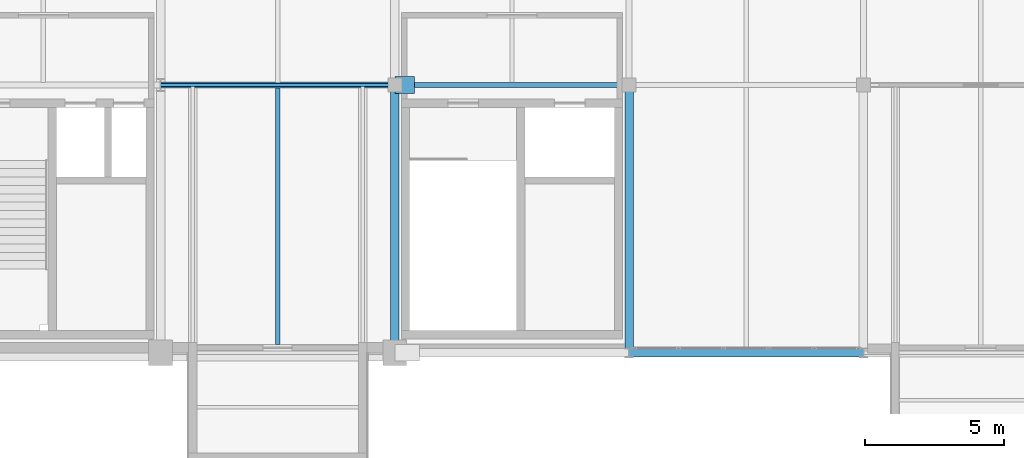
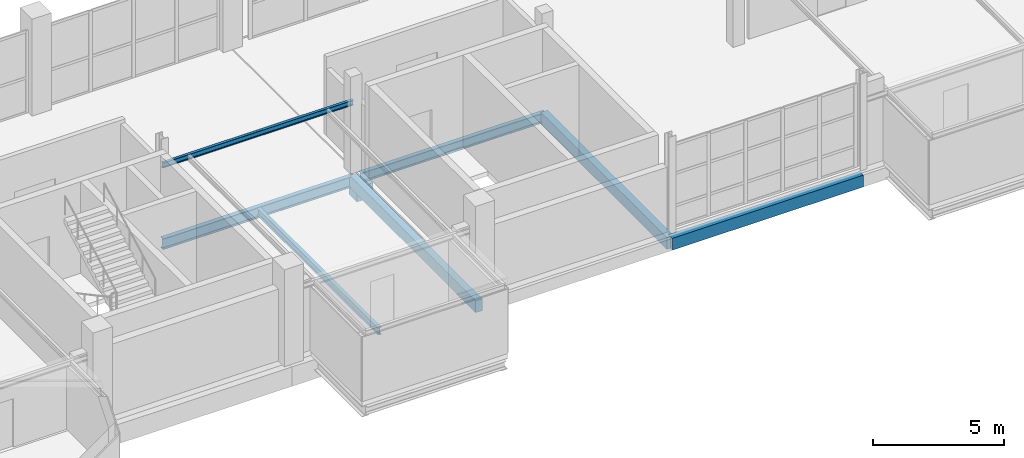
# One storey, part 45 of 103: 8 beams.
"""IFC4 building model written with IfcOpenShell, lengths in metres."""

from ifc_helpers import new_model, si_unit, direction, frame, origin, origin_2d, place, context, subcontext, project, spatial, rectangle, i_section, extrude, material, material_profile, profile_set, type_object, element, save


model = new_model("IFC4")

# Units and contexts
model_context = context("Model", 3, precision=1e-05, world=origin(), true_north=direction((0.0, 1.0)))
body_context = subcontext(model_context, "Body", "Model", "MODEL_VIEW")
ifc_project = project(units=[si_unit("LENGTHUNIT", "METRE"), si_unit("AREAUNIT", "SQUARE_METRE"), si_unit("VOLUMEUNIT", "CUBIC_METRE"), si_unit("PLANEANGLEUNIT", "RADIAN"), si_unit("MASSUNIT", "GRAM", prefix="KILO")], contexts=[model_context])

# Site, building, storey
site_placement = place(None, origin())
site = spatial("IfcSite", under=ifc_project, at=site_placement, CompositionType="ELEMENT")
building_placement = place(site_placement, origin())
building = spatial("IfcBuilding", under=site, at=building_placement, Name="Veltarok Museum of Natural Sciences", CompositionType="ELEMENT")
storey_placement = place(building_placement, frame((0.0, 0.0, 21.89990234375)))
storey = spatial("IfcBuildingStorey", under=building, at=storey_placement, Name="L04", CompositionType="ELEMENT", Elevation=21.89990234375)

# Beams
ifc_material_1 = material(Name="Steel S355J2", Category="steel")
ifc_material_profile_1 = material_profile(ifc_material_1, i_section(OverallWidth=0.1201171875, OverallDepth=0.239990234375, WebThickness=0.006103515625, FlangeThickness=0.009765625, FilletRadius=0.014892578125, at=origin_2d()), Name="IPE 240")
ifc_profile_set_1 = profile_set([ifc_material_profile_1], Name="Steel S355J2")
beam_type_1 = type_object("IfcBeamType", Name="Cabinet Box Secondary Joist IPE 240", PredefinedType="JOIST", material=ifc_profile_set_1)
beam_1_placement = place(storey_placement, frame((98.800048828125, 9.60009765625, 3.130126953125), z_axis=(1.0, 0.0, 0.0), x_axis=(0.0, 1.0, 0.0)))
element("IfcBeam", 1, at=beam_1_placement, inside=storey, type_object=beam_type_1, Name="Cabinet Roof Tie Beam DB-23-I", PredefinedType="JOIST", context=body_context, shape_type="SweptSolid", body=[
    extrude(i_section(OverallWidth=0.1201171875, OverallDepth=0.239990234375, WebThickness=0.006103515625, FlangeThickness=0.009765625, FilletRadius=0.014892578125, at=origin_2d()), origin(), (0.0, 0.0, 1.0), 8.39990234375),
])
ifc_material_2 = material(Name="Precast concrete C40/50", Category="concrete")
ifc_material_profile_2 = material_profile(ifc_material_2, rectangle(XDim=0.300048828125, YDim=0.550048828125, at=origin_2d()), Name="RC 300x550")
ifc_profile_set_2 = profile_set([ifc_material_profile_2], Name="Precast concrete C40/50")
beam_type_2 = type_object("IfcBeamType", Name="East Wing Precast Spandrel RC 300x550", PredefinedType="SPANDREL", material=ifc_profile_set_2)
beam_2_placement = place(storey_placement, frame((115.60009765625, 0.0, -0.52490234375), z_axis=(1.0, 0.0, 0.0), x_axis=(0.0, 1.0, 0.0)))
element("IfcBeam", 2, at=beam_2_placement, inside=storey, type_object=beam_type_2, Name="Beam BM-SP02 L04 14-15/A", PredefinedType="SPANDREL", context=body_context, shape_type="SweptSolid", body=[
    extrude(rectangle(XDim=0.300048828125, YDim=0.550048828125, at=origin_2d()), origin(), (0.0, 0.0, 1.0), 8.39990234375),
])
for number, where, z_axis, x_axis, name in (
    (3, (107.199951171875, 0.0, -0.52490234375), (0.0, 1.0, 0.0), (-1.0, 0.0, 0.0), "Beam BM-SP02 L04 13/A-B"),
    (4, (115.60009765625, 0.0, -0.52490234375), (0.0, 1.0, 0.0), (-1.0, 0.0, 0.0), "Beam BM-SP02 L04 14/A-B"),
):
    element("IfcBeam", number, at=place(storey_placement, frame(where, z_axis=z_axis, x_axis=x_axis)), inside=storey, type_object=beam_type_2, Name=name, PredefinedType="SPANDREL", context=body_context, shape_type="SweptSolid", body=[
        extrude(rectangle(XDim=0.300048828125, YDim=0.550048828125, at=origin_2d()), origin(), (0.0, 0.0, 1.0), 9.60009765625),
    ])
ifc_material_profile_3 = material_profile(ifc_material_1, i_section(OverallWidth=0.18994140625, OverallDepth=0.449951171875, WebThickness=0.009521484375, FlangeThickness=0.0146484375, FilletRadius=0.02099609375, at=origin_2d()), Name="IPE 450")
ifc_profile_set_3 = profile_set([ifc_material_profile_3], Name="Steel S355J2")
beam_type_3 = type_object("IfcBeamType", Name="Laboratory Floor Girder IPE 450", PredefinedType="BEAM", material=ifc_profile_set_3)
beam_3_placement = place(storey_placement, frame((107.5, 9.60009765625, -0.474853515625), z_axis=(1.0, 0.0, 0.0), x_axis=(0.0, 1.0, 0.0)))
element("IfcBeam", 5, at=beam_3_placement, inside=storey, type_object=beam_type_3, Name="Beam BM-G05 L04 13-14/B", PredefinedType="BEAM", context=body_context, shape_type="SweptSolid", body=[
    extrude(i_section(OverallWidth=0.18994140625, OverallDepth=0.449951171875, WebThickness=0.009521484375, FlangeThickness=0.0146484375, FilletRadius=0.02099609375, at=origin_2d()), origin(), (0.0, 0.0, 1.0), 8.10009765625),
])
ifc_material_profile_4 = material_profile(ifc_material_1, i_section(OverallWidth=0.159912109375, OverallDepth=0.330078125, WebThickness=0.007568359375, FlangeThickness=0.011474609375, FilletRadius=0.01806640625, at=origin_2d()), Name="IPE 330")
ifc_profile_set_4 = profile_set([ifc_material_profile_4], Name="Steel S355J2")
beam_type_4 = type_object("IfcBeamType", Name="Medium-Bay Composite Joist IPE 330", PredefinedType="JOIST", material=ifc_profile_set_4)
beam_4_placement = place(storey_placement, frame((103.0, 0.298095703125, -0.414794921875), z_axis=(0.0, 1.0, 0.0), x_axis=(-1.0, 0.0, 0.0)))
element("IfcBeam", 6, at=beam_4_placement, inside=storey, type_object=beam_type_4, Name="Secondary Joist BM-J02 L04 12-13/A-B.1", PredefinedType="JOIST", context=body_context, shape_type="SweptSolid", body=[
    extrude(i_section(OverallWidth=0.159912109375, OverallDepth=0.330078125, WebThickness=0.007568359375, FlangeThickness=0.011474609375, FilletRadius=0.01806640625, at=origin_2d()), origin(), (0.0, 0.0, 1.0), 9.203857421875),
])
ifc_material_3 = material(Name="Concrete C40/50", Category="concrete")
ifc_material_profile_5 = material_profile(ifc_material_3, rectangle(XDim=0.60009765625, YDim=0.64990234375, at=origin_2d()), Name="RC 600x650")
ifc_profile_set_5 = profile_set([ifc_material_profile_5], Name="Concrete C40/50")
beam_type_5 = type_object("IfcBeamType", Name="Movement Joint Sliding Corbel RC 600x650", PredefinedType="BEAM", material=ifc_profile_set_5)
beam_5_placement = place(storey_placement, frame((107.199951171875, 9.60009765625, -1.02490234375), z_axis=(1.0, 0.0, 0.0), x_axis=(0.0, 1.0, 0.0)))
element("IfcBeam", 7, at=beam_5_placement, inside=storey, type_object=beam_type_5, Name="Movement Joint Corbel L04 13/B", PredefinedType="BEAM", context=body_context, shape_type="SweptSolid", body=[
    extrude(rectangle(XDim=0.60009765625, YDim=0.64990234375, at=origin_2d()), origin(), (0.0, 0.0, 1.0), 0.7099609375),
])
ifc_material_profile_6 = material_profile(ifc_material_1, i_section(OverallWidth=0.199951171875, OverallDepth=0.5, WebThickness=0.01025390625, FlangeThickness=0.01611328125, FilletRadius=0.02099609375, at=origin_2d()), Name="IPE 500")
ifc_profile_set_6 = profile_set([ifc_material_profile_6], Name="Steel S355J2")
beam_type_6 = type_object("IfcBeamType", Name="Standard Gallery Girder IPE 500", PredefinedType="BEAM", material=ifc_profile_set_6)
beam_6_placement = place(storey_placement, frame((98.800048828125, 9.60009765625, -0.5), z_axis=(1.0, 0.0, 0.0), x_axis=(0.0, 1.0, 0.0)))
element("IfcBeam", 8, at=beam_6_placement, inside=storey, type_object=beam_type_6, Name="Beam BM-G04 L04 12-13/B", PredefinedType="BEAM", context=body_context, shape_type="SweptSolid", body=[
    extrude(i_section(OverallWidth=0.199951171875, OverallDepth=0.5, WebThickness=0.01025390625, FlangeThickness=0.01611328125, FilletRadius=0.02099609375, at=origin_2d()), origin(), (0.0, 0.0, 1.0), 8.39990234375),
])

save(model, "model.ifc")
